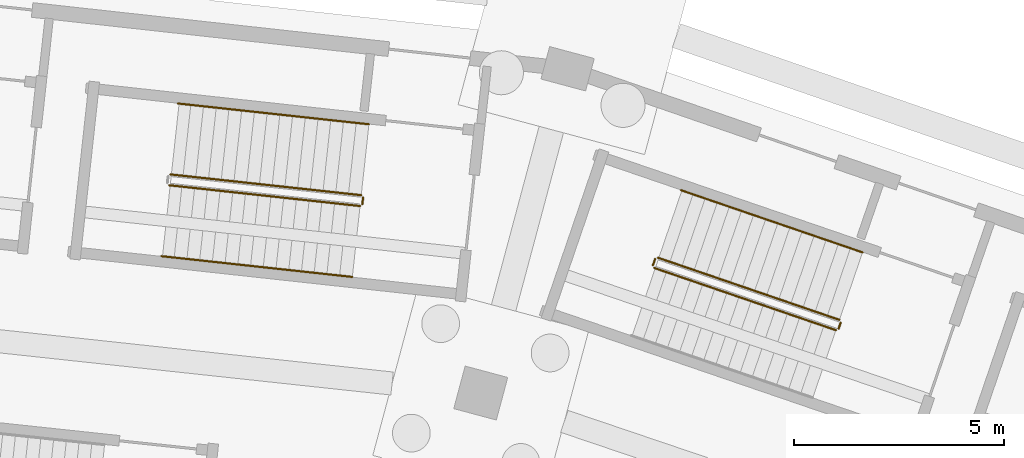
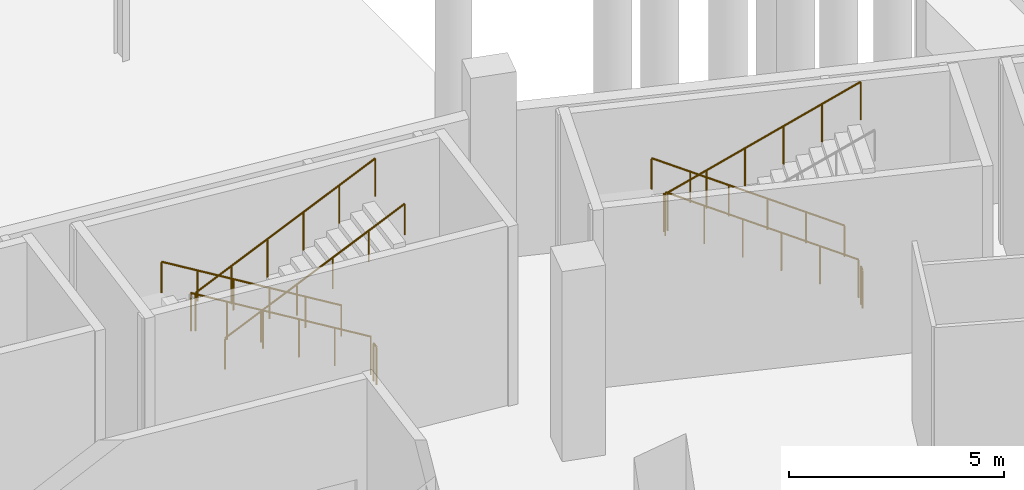
# One storey, part 99 of 103: 10 railings.
"""IFC4 building model written with IfcOpenShell, lengths in metres."""

from ifc_helpers import new_model, si_unit, direction, frame, origin, origin_2d, place, context, subcontext, project, spatial, circle, extrude, material, type_object, element, save


model = new_model("IFC4")

# Units and contexts
model_context = context("Model", 3, precision=1e-05, world=origin(), true_north=direction((0.0, 1.0)))
body_context = subcontext(model_context, "Body", "Model", "MODEL_VIEW")
ifc_project = project(units=[si_unit("LENGTHUNIT", "METRE"), si_unit("AREAUNIT", "SQUARE_METRE"), si_unit("VOLUMEUNIT", "CUBIC_METRE"), si_unit("PLANEANGLEUNIT", "RADIAN"), si_unit("MASSUNIT", "GRAM", prefix="KILO")], contexts=[model_context])

# Site, building, storey
site_placement = place(None, origin())
site = spatial("IfcSite", under=ifc_project, at=site_placement, CompositionType="ELEMENT")
building_placement = place(site_placement, origin())
building = spatial("IfcBuilding", under=site, at=building_placement, Name="Zevraka Park Crest Stadium", CompositionType="ELEMENT")
storey_placement = place(building_placement, origin())
storey = spatial("IfcBuildingStorey", under=building, at=storey_placement, Name="L00", CompositionType="ELEMENT", Elevation=0.0)

# Railings
ifc_material_1 = material(Name="Powder-coated tubular steel stairwell guard", Category="steel")
railing_type_1 = type_object("IfcRailingType", Name="GR03", PredefinedType="GUARDRAIL", material=ifc_material_1)
railing_1_placement = place(storey_placement, frame((130.453369140625, 161.721923828125, 0.168701171875)))
element("IfcRailing", 1, at=railing_1_placement, inside=storey, type_object=railing_type_1, Name="L00 ST06 stair guard 1", PredefinedType="GUARDRAIL", context=body_context, shape_type="SweptSolid", body=[
    extrude(circle(Radius=0.02392578125, at=origin_2d()), frame((0.0, 0.0, 1.076171875), z_axis=(-0.869864850097, 0.094648990882, 0.48412468548), x_axis=(-0.108170396169, -0.994132368145, 0.0)), (0.0, 0.0, 1.0), 5.228515625),
    extrude(circle(Radius=0.02099609375, at=origin_2d()), origin(), (0.0, 0.0, 1.0), 1.052001953125),
    extrude(circle(Radius=0.02099609375, at=origin_2d()), frame((-0.90966796875, 0.098876953125, 0.50634765625)), (0.0, 0.0, 1.0), 1.052001953125),
    extrude(circle(Radius=0.02099609375, at=origin_2d()), frame((-1.8193359375, 0.197998046875, 1.012451171875)), (0.0, 0.0, 1.0), 1.052001953125),
    extrude(circle(Radius=0.02099609375, at=origin_2d()), frame((-2.728759765625, 0.296875, 1.518798828125)), (0.0, 0.0, 1.0), 1.052001953125),
    extrude(circle(Radius=0.02099609375, at=origin_2d()), frame((-3.638427734375, 0.39599609375, 2.02490234375)), (0.0, 0.0, 1.0), 1.052001953125),
    extrude(circle(Radius=0.02099609375, at=origin_2d()), frame((-4.548095703125, 0.494873046875, 2.53125)), (0.0, 0.0, 1.0), 1.052001953125),
])
railing_2_placement = place(storey_placement, frame((125.876953125, 161.95849609375, 2.86865234375)))
element("IfcRailing", 2, at=railing_2_placement, inside=storey, type_object=railing_type_1, Name="L00 ST06 stair guard 3", PredefinedType="GUARDRAIL", context=body_context, shape_type="SweptSolid", body=[
    extrude(circle(Radius=0.02392578125, at=origin_2d()), frame((0.0, 0.0, 1.076171875), z_axis=(0.869861004761, -0.094695266394, 0.484122545352), x_axis=(0.108223136073, 0.994126628161, 0.0)), (0.0, 0.0, 1.0), 5.228515625),
    extrude(circle(Radius=0.02099609375, at=origin_2d()), origin(), (0.0, 0.0, 1.0), 1.052001953125),
    extrude(circle(Radius=0.02099609375, at=origin_2d()), frame((0.90966796875, -0.09912109375, 0.50634765625)), (0.0, 0.0, 1.0), 1.052001953125),
    extrude(circle(Radius=0.02099609375, at=origin_2d()), frame((1.8193359375, -0.197998046875, 1.012451171875)), (0.0, 0.0, 1.0), 1.052001953125),
    extrude(circle(Radius=0.02099609375, at=origin_2d()), frame((2.728759765625, -0.297119140625, 1.518798828125)), (0.0, 0.0, 1.0), 1.052001953125),
    extrude(circle(Radius=0.02099609375, at=origin_2d()), frame((3.638427734375, -0.39599609375, 2.02490234375)), (0.0, 0.0, 1.0), 1.052001953125),
    extrude(circle(Radius=0.02099609375, at=origin_2d()), frame((4.548095703125, -0.4951171875, 2.53125)), (0.0, 0.0, 1.0), 1.052001953125),
])
railing_3_placement = place(storey_placement, frame((130.49755859375, 161.666748046875, 0.0)))
element("IfcRailing", 3, at=railing_3_placement, inside=storey, type_object=railing_type_1, Name="L00 ST06 stair guard 4", PredefinedType="GUARDRAIL", context=body_context, shape_type="SweptSolid", body=[
    extrude(circle(Radius=0.02392578125, at=origin_2d()), frame((0.0, 0.0, 1.076171875), z_axis=(-0.108255734054, -0.994123078921, 0.0), x_axis=(0.994123078921, -0.108255734054, 0.0)), (0.0, 0.0, 1.0), 0.16015625),
    extrude(circle(Radius=0.02099609375, at=origin_2d()), origin(), (0.0, 0.0, 1.0), 1.052001953125),
    extrude(circle(Radius=0.02099609375, at=origin_2d()), frame((-0.017333984375, -0.1591796875, 0.0)), (0.0, 0.0, 1.0), 1.052001953125),
])
railing_4_placement = place(storey_placement, frame((141.847900390625, 158.751220703125, 0.168701171875)))
element("IfcRailing", 4, at=railing_4_placement, inside=storey, type_object=railing_type_1, Name="L00 ST25 stair guard 1", PredefinedType="GUARDRAIL", context=body_context, shape_type="SweptSolid", body=[
    extrude(circle(Radius=0.02392578125, at=origin_2d()), frame((0.0, 0.0, 1.076171875), z_axis=(-0.827816573081, 0.283471962049, 0.484110904716), x_axis=(-0.323965495677, -0.946068896863, 0.0)), (0.0, 0.0, 1.0), 5.228759765625),
    extrude(circle(Radius=0.02099609375, at=origin_2d()), origin(), (0.0, 0.0, 1.0), 1.052001953125),
    extrude(circle(Radius=0.02099609375, at=origin_2d()), frame((-0.86572265625, 0.29638671875, 0.50634765625)), (0.0, 0.0, 1.0), 1.052001953125),
    extrude(circle(Radius=0.02099609375, at=origin_2d()), frame((-1.7314453125, 0.5927734375, 1.012451171875)), (0.0, 0.0, 1.0), 1.052001953125),
    extrude(circle(Radius=0.02099609375, at=origin_2d()), frame((-2.596923828125, 0.889404296875, 1.518798828125)), (0.0, 0.0, 1.0), 1.052001953125),
    extrude(circle(Radius=0.02099609375, at=origin_2d()), frame((-3.462646484375, 1.185791015625, 2.02490234375)), (0.0, 0.0, 1.0), 1.052001953125),
    extrude(circle(Radius=0.02099609375, at=origin_2d()), frame((-4.328369140625, 1.482177734375, 2.53125)), (0.0, 0.0, 1.0), 1.052001953125),
])
railing_5_placement = place(storey_placement, frame((137.4560546875, 160.202392578125, 2.699951171875)))
element("IfcRailing", 5, at=railing_5_placement, inside=storey, type_object=railing_type_1, Name="L00 ST25 stair guard 2", PredefinedType="GUARDRAIL", context=body_context, shape_type="SweptSolid", body=[
    extrude(circle(Radius=0.02392578125, at=origin_2d()), frame((0.0, 0.0, 1.076171875), z_axis=(-0.32354385955, -0.946213174156, 0.0), x_axis=(0.946213174156, -0.32354385955, 0.0)), (0.0, 0.0, 1.0), 0.159912109375),
    extrude(circle(Radius=0.02099609375, at=origin_2d()), origin(), (0.0, 0.0, 1.0), 1.052001953125),
    extrude(circle(Radius=0.02099609375, at=origin_2d()), frame((-0.0517578125, -0.1513671875, 0.0)), (0.0, 0.0, 1.0), 1.052001953125),
])
railing_6_placement = place(storey_placement, frame((137.435302734375, 159.987548828125, 2.86865234375)))
element("IfcRailing", 6, at=railing_6_placement, inside=storey, type_object=railing_type_1, Name="L00 ST25 stair guard 3", PredefinedType="GUARDRAIL", context=body_context, shape_type="SweptSolid", body=[
    extrude(circle(Radius=0.02392578125, at=origin_2d()), frame((0.0, 0.0, 1.076171875), z_axis=(0.827816573081, -0.283471962049, 0.484110904716), x_axis=(0.323965495677, 0.946068896863, 0.0)), (0.0, 0.0, 1.0), 5.228759765625),
    extrude(circle(Radius=0.02099609375, at=origin_2d()), origin(), (0.0, 0.0, 1.0), 1.052001953125),
    extrude(circle(Radius=0.02099609375, at=origin_2d()), frame((0.86572265625, -0.29638671875, 0.50634765625)), (0.0, 0.0, 1.0), 1.052001953125),
    extrude(circle(Radius=0.02099609375, at=origin_2d()), frame((1.7314453125, -0.5927734375, 1.012451171875)), (0.0, 0.0, 1.0), 1.052001953125),
    extrude(circle(Radius=0.02099609375, at=origin_2d()), frame((2.596923828125, -0.889404296875, 1.518798828125)), (0.0, 0.0, 1.0), 1.052001953125),
    extrude(circle(Radius=0.02099609375, at=origin_2d()), frame((3.462646484375, -1.185791015625, 2.02490234375)), (0.0, 0.0, 1.0), 1.052001953125),
    extrude(circle(Radius=0.02099609375, at=origin_2d()), frame((4.328369140625, -1.482177734375, 2.53125)), (0.0, 0.0, 1.0), 1.052001953125),
])
railing_7_placement = place(storey_placement, frame((141.87890625, 158.687744140625, 0.0)))
element("IfcRailing", 7, at=railing_7_placement, inside=storey, type_object=railing_type_1, Name="L00 ST25 stair guard 4", PredefinedType="GUARDRAIL", context=body_context, shape_type="SweptSolid", body=[
    extrude(circle(Radius=0.02392578125, at=origin_2d()), frame((0.0, 0.0, 1.076171875), z_axis=(-0.32354385955, -0.946213174156, 0.0), x_axis=(0.946213174156, -0.32354385955, 0.0)), (0.0, 0.0, 1.0), 0.159912109375),
    extrude(circle(Radius=0.02099609375, at=origin_2d()), origin(), (0.0, 0.0, 1.0), 1.052001953125),
    extrude(circle(Radius=0.02099609375, at=origin_2d()), frame((-0.0517578125, -0.1513671875, 0.0)), (0.0, 0.0, 1.0), 1.052001953125),
])
ifc_material_2 = material(Name="Brushed stainless steel continuous handrail", Category="steel")
railing_type_2 = type_object("IfcRailingType", Name="HR01", PredefinedType="HANDRAIL", material=ifc_material_2)
railing_8_placement = place(storey_placement, frame((130.63720703125, 163.411865234375, 0.168701171875)))
element("IfcRailing", 8, at=railing_8_placement, inside=storey, type_object=railing_type_2, Name="L00 ST06 stair handrail 1", PredefinedType="HANDRAIL", context=body_context, shape_type="SweptSolid", body=[
    extrude(circle(Radius=0.02392578125, at=origin_2d()), frame((0.0, 0.0, 0.8759765625), z_axis=(-0.869861004761, 0.094695266394, 0.484122545352), x_axis=(-0.108223136073, -0.994126628161, 0.0)), (0.0, 0.0, 1.0), 5.228515625),
    extrude(circle(Radius=0.02099609375, at=origin_2d()), origin(), (0.0, 0.0, 1.0), 0.851806640625),
    extrude(circle(Radius=0.02099609375, at=origin_2d()), frame((-0.90966796875, 0.09912109375, 0.50634765625)), (0.0, 0.0, 1.0), 0.851806640625),
    extrude(circle(Radius=0.02099609375, at=origin_2d()), frame((-1.8193359375, 0.197998046875, 1.012451171875)), (0.0, 0.0, 1.0), 0.851806640625),
    extrude(circle(Radius=0.02099609375, at=origin_2d()), frame((-2.728759765625, 0.297119140625, 1.518798828125)), (0.0, 0.0, 1.0), 0.851806640625),
    extrude(circle(Radius=0.02099609375, at=origin_2d()), frame((-3.638427734375, 0.39599609375, 2.02490234375)), (0.0, 0.0, 1.0), 0.851806640625),
    extrude(circle(Radius=0.02099609375, at=origin_2d()), frame((-4.548095703125, 0.4951171875, 2.53125)), (0.0, 0.0, 1.0), 0.851806640625),
])
railing_9_placement = place(storey_placement, frame((125.693115234375, 160.268310546875, 2.86865234375)))
element("IfcRailing", 9, at=railing_9_placement, inside=storey, type_object=railing_type_2, Name="L00 ST06 stair handrail 2", PredefinedType="HANDRAIL", context=body_context, shape_type="SweptSolid", body=[
    extrude(circle(Radius=0.02392578125, at=origin_2d()), frame((0.0, 0.0, 0.8759765625), z_axis=(0.869864850097, -0.094648990882, 0.48412468548), x_axis=(0.108170396169, 0.994132368145, 0.0)), (0.0, 0.0, 1.0), 5.228515625),
    extrude(circle(Radius=0.02099609375, at=origin_2d()), origin(), (0.0, 0.0, 1.0), 0.851806640625),
    extrude(circle(Radius=0.02099609375, at=origin_2d()), frame((0.90966796875, -0.098876953125, 0.50634765625)), (0.0, 0.0, 1.0), 0.851806640625),
    extrude(circle(Radius=0.02099609375, at=origin_2d()), frame((1.8193359375, -0.197998046875, 1.012451171875)), (0.0, 0.0, 1.0), 0.851806640625),
    extrude(circle(Radius=0.02099609375, at=origin_2d()), frame((2.728759765625, -0.296875, 1.518798828125)), (0.0, 0.0, 1.0), 0.851806640625),
    extrude(circle(Radius=0.02099609375, at=origin_2d()), frame((3.638427734375, -0.39599609375, 2.02490234375)), (0.0, 0.0, 1.0), 0.851806640625),
    extrude(circle(Radius=0.02099609375, at=origin_2d()), frame((4.548095703125, -0.494873046875, 2.53125)), (0.0, 0.0, 1.0), 0.851806640625),
])
railing_10_placement = place(storey_placement, frame((142.398681640625, 160.359619140625, 0.168701171875)))
element("IfcRailing", 10, at=railing_10_placement, inside=storey, type_object=railing_type_2, Name="L00 ST25 stair handrail 1", PredefinedType="HANDRAIL", context=body_context, shape_type="SweptSolid", body=[
    extrude(circle(Radius=0.02392578125, at=origin_2d()), frame((0.0, 0.0, 0.8759765625), z_axis=(-0.827816573081, 0.283471962049, 0.484110904716), x_axis=(-0.323965495677, -0.946068896863, 0.0)), (0.0, 0.0, 1.0), 5.228759765625),
    extrude(circle(Radius=0.02099609375, at=origin_2d()), origin(), (0.0, 0.0, 1.0), 0.851806640625),
    extrude(circle(Radius=0.02099609375, at=origin_2d()), frame((-0.86572265625, 0.29638671875, 0.50634765625)), (0.0, 0.0, 1.0), 0.851806640625),
    extrude(circle(Radius=0.02099609375, at=origin_2d()), frame((-1.7314453125, 0.5927734375, 1.012451171875)), (0.0, 0.0, 1.0), 0.851806640625),
    extrude(circle(Radius=0.02099609375, at=origin_2d()), frame((-2.596923828125, 0.889404296875, 1.518798828125)), (0.0, 0.0, 1.0), 0.851806640625),
    extrude(circle(Radius=0.02099609375, at=origin_2d()), frame((-3.462646484375, 1.185791015625, 2.02490234375)), (0.0, 0.0, 1.0), 0.851806640625),
    extrude(circle(Radius=0.02099609375, at=origin_2d()), frame((-4.328369140625, 1.482177734375, 2.53125)), (0.0, 0.0, 1.0), 0.851806640625),
])

save(model, "model.ifc")
